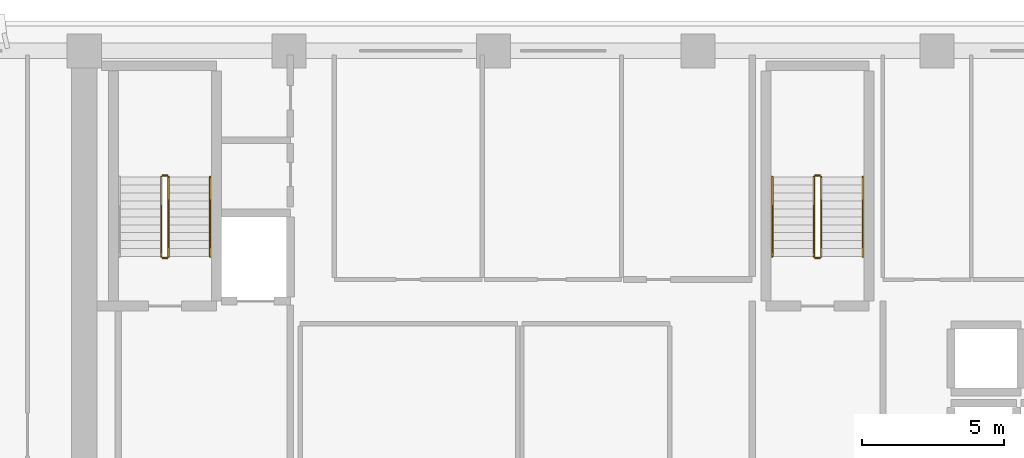
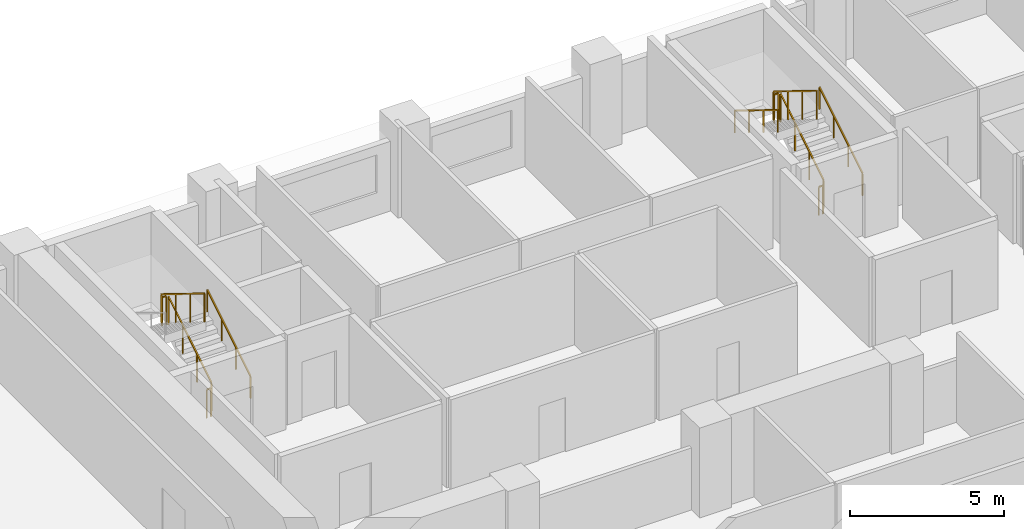
# One storey, part 12 of 14: 11 railings.
"""IFC4 building model written with IfcOpenShell, lengths in metres."""

from ifc_helpers import new_model, si_unit, direction, frame, origin, origin_2d, place, context, subcontext, project, spatial, rectangle, extrude, material, type_object, element, save


model = new_model("IFC4")

# Units and contexts
model_context = context("Model", 3, precision=1e-05, world=origin(), true_north=direction((0.0, 1.0)))
body_context = subcontext(model_context, "Body", "Model", "MODEL_VIEW")
ifc_project = project(units=[si_unit("LENGTHUNIT", "METRE"), si_unit("AREAUNIT", "SQUARE_METRE"), si_unit("VOLUMEUNIT", "CUBIC_METRE"), si_unit("PLANEANGLEUNIT", "RADIAN"), si_unit("MASSUNIT", "GRAM", prefix="KILO")], contexts=[model_context])

# Site, building, storey
site_placement = place(None, origin())
site = spatial("IfcSite", under=ifc_project, at=site_placement, CompositionType="ELEMENT")
building_placement = place(site_placement, origin())
building = spatial("IfcBuilding", under=site, at=building_placement, Name="Kaelvorn Grand Hotel", CompositionType="ELEMENT")
storey_placement = place(building_placement, frame((0.0, 0.0, 190.14990234375)))
storey = spatial("IfcBuildingStorey", under=building, at=storey_placement, Name="L46", CompositionType="ELEMENT", Elevation=190.14990234375)

# Railings
ifc_material = material(Name="Stainless Steel", Category="steel")
railing_type_1 = type_object("IfcRailingType", Name="RL-HANDRAIL-900", PredefinedType="HANDRAIL", material=ifc_material)
for number, where, name in (
    (1, (20.6298828125, 41.760009765625, 0.1728515625), "L46 ST1 stair handrail 1"),
    (2, (43.590087890625, 41.760009765625, 0.1728515625), "L46 ST2 stair handrail 1"),
):
    element("IfcRailing", number, at=place(storey_placement, frame(where)), inside=storey, type_object=railing_type_1, Name=name, PredefinedType="HANDRAIL", context=body_context, shape_type="SweptSolid", body=[
        extrude(rectangle(XDim=0.048095703125, YDim=0.048095703125, at=origin_2d()), frame((0.0, 0.0, 0.8759765625), z_axis=(0.0, 0.851089632645, 0.525020415988), x_axis=(-1.0, 0.0, 0.0)), (0.0, 0.0, 1.0), 3.2900390625),
        extrude(rectangle(XDim=0.0419921875, YDim=0.0419921875, at=origin_2d()), origin(), (0.0, 0.0, 1.0), 0.851806640625),
        extrude(rectangle(XDim=0.0419921875, YDim=0.0419921875, at=origin_2d()), frame((0.0, 0.933349609375, 0.57568359375)), (0.0, 0.0, 1.0), 0.851806640625),
        extrude(rectangle(XDim=0.0419921875, YDim=0.0419921875, at=origin_2d()), frame((0.0, 1.86669921875, 1.151611328125)), (0.0, 0.0, 1.0), 0.851806640625),
        extrude(rectangle(XDim=0.0419921875, YDim=0.0419921875, at=origin_2d()), frame((0.0, 2.800048828125, 1.727294921875)), (0.0, 0.0, 1.0), 0.851806640625),
    ])
railing_1_placement = place(storey_placement, frame((40.409912109375, 44.56005859375, 2.07275390625)))
element("IfcRailing", 3, at=railing_1_placement, inside=storey, type_object=railing_type_1, Name="L46 ST2 stair handrail 2", PredefinedType="HANDRAIL", context=body_context, shape_type="SweptSolid", body=[
    extrude(rectangle(XDim=0.048095703125, YDim=0.048095703125, at=origin_2d()), frame((0.0, 0.0, 0.8759765625), z_axis=(0.0, -0.851089632645, 0.525020415988), x_axis=(1.0, 0.0, 0.0)), (0.0, 0.0, 1.0), 3.2900390625),
    extrude(rectangle(XDim=0.0419921875, YDim=0.0419921875, at=origin_2d()), origin(), (0.0, 0.0, 1.0), 0.851806640625),
    extrude(rectangle(XDim=0.0419921875, YDim=0.0419921875, at=origin_2d()), frame((0.0, -0.933349609375, 0.57568359375)), (0.0, 0.0, 1.0), 0.851806640625),
    extrude(rectangle(XDim=0.0419921875, YDim=0.0419921875, at=origin_2d()), frame((0.0, -1.86669921875, 1.151611328125)), (0.0, 0.0, 1.0), 0.851806640625),
    extrude(rectangle(XDim=0.0419921875, YDim=0.0419921875, at=origin_2d()), frame((0.0, -2.800048828125, 1.727294921875)), (0.0, 0.0, 1.0), 0.851806640625),
])
railing_type_2 = type_object("IfcRailingType", Name="RL-STAIR-GUARD-1150", PredefinedType="BALUSTRADE", material=ifc_material)
railing_2_placement = place(storey_placement, frame((19.169921875, 41.760009765625, 0.1728515625)))
element("IfcRailing", 4, at=railing_2_placement, inside=storey, type_object=railing_type_2, Name="L46 ST1 stair guard 1", PredefinedType="BALUSTRADE", context=body_context, shape_type="SweptSolid", body=[
    extrude(rectangle(XDim=0.048095703125, YDim=0.048095703125, at=origin_2d()), frame((0.0, 0.0, 1.1259765625), z_axis=(0.0, 0.851089632645, 0.525020415988), x_axis=(-1.0, 0.0, 0.0)), (0.0, 0.0, 1.0), 3.2900390625),
    extrude(rectangle(XDim=0.0419921875, YDim=0.0419921875, at=origin_2d()), origin(), (0.0, 0.0, 1.0), 1.101806640625),
    extrude(rectangle(XDim=0.0419921875, YDim=0.0419921875, at=origin_2d()), frame((0.0, 0.933349609375, 0.57568359375)), (0.0, 0.0, 1.0), 1.101806640625),
    extrude(rectangle(XDim=0.0419921875, YDim=0.0419921875, at=origin_2d()), frame((0.0, 1.86669921875, 1.151611328125)), (0.0, 0.0, 1.0), 1.101806640625),
    extrude(rectangle(XDim=0.0419921875, YDim=0.0419921875, at=origin_2d()), frame((0.0, 2.800048828125, 1.727294921875)), (0.0, 0.0, 1.0), 1.101806640625),
])
railing_3_placement = place(storey_placement, frame((19.1201171875, 44.610107421875, 1.900146484375)))
element("IfcRailing", 5, at=railing_3_placement, inside=storey, type_object=railing_type_2, Name="L46 ST1 stair guard 2", PredefinedType="BALUSTRADE", context=body_context, shape_type="SweptSolid", body=[
    extrude(rectangle(XDim=0.048095703125, YDim=0.048095703125, at=origin_2d()), frame((0.0, 0.0, 1.1259765625), z_axis=(-1.0, 0.0, 0.0), x_axis=(0.0, -1.0, 0.0)), (0.0, 0.0, 1.0), 0.16015625),
    extrude(rectangle(XDim=0.0419921875, YDim=0.0419921875, at=origin_2d()), origin(), (0.0, 0.0, 1.0), 1.101806640625),
    extrude(rectangle(XDim=0.0419921875, YDim=0.0419921875, at=origin_2d()), frame((-0.16015625, 0.0, 0.0)), (0.0, 0.0, 1.0), 1.101806640625),
])
railing_4_placement = place(storey_placement, frame((18.909912109375, 44.56005859375, 2.07275390625)))
element("IfcRailing", 6, at=railing_4_placement, inside=storey, type_object=railing_type_2, Name="L46 ST1 stair guard 3", PredefinedType="BALUSTRADE", context=body_context, shape_type="SweptSolid", body=[
    extrude(rectangle(XDim=0.048095703125, YDim=0.048095703125, at=origin_2d()), frame((0.0, 0.0, 1.1259765625), z_axis=(0.0, -0.851089632645, 0.525020415988), x_axis=(1.0, 0.0, 0.0)), (0.0, 0.0, 1.0), 3.2900390625),
    extrude(rectangle(XDim=0.0419921875, YDim=0.0419921875, at=origin_2d()), origin(), (0.0, 0.0, 1.0), 1.101806640625),
    extrude(rectangle(XDim=0.0419921875, YDim=0.0419921875, at=origin_2d()), frame((0.0, -0.933349609375, 0.57568359375)), (0.0, 0.0, 1.0), 1.101806640625),
    extrude(rectangle(XDim=0.0419921875, YDim=0.0419921875, at=origin_2d()), frame((0.0, -1.86669921875, 1.151611328125)), (0.0, 0.0, 1.0), 1.101806640625),
    extrude(rectangle(XDim=0.0419921875, YDim=0.0419921875, at=origin_2d()), frame((0.0, -2.800048828125, 1.727294921875)), (0.0, 0.0, 1.0), 1.101806640625),
])
railing_5_placement = place(storey_placement, frame((19.1201171875, 41.7099609375, 0.0)))
element("IfcRailing", 7, at=railing_5_placement, inside=storey, type_object=railing_type_2, Name="L46 ST1 stair guard 4", PredefinedType="BALUSTRADE", context=body_context, shape_type="SweptSolid", body=[
    extrude(rectangle(XDim=0.048095703125, YDim=0.048095703125, at=origin_2d()), frame((0.0, 0.0, 1.1259765625), z_axis=(-1.0, 0.0, 0.0), x_axis=(0.0, -1.0, 0.0)), (0.0, 0.0, 1.0), 0.16015625),
    extrude(rectangle(XDim=0.0419921875, YDim=0.0419921875, at=origin_2d()), origin(), (0.0, 0.0, 1.0), 1.101806640625),
    extrude(rectangle(XDim=0.0419921875, YDim=0.0419921875, at=origin_2d()), frame((-0.16015625, 0.0, 0.0)), (0.0, 0.0, 1.0), 1.101806640625),
])
railing_6_placement = place(storey_placement, frame((42.1298828125, 41.760009765625, 0.1728515625)))
element("IfcRailing", 8, at=railing_6_placement, inside=storey, type_object=railing_type_2, Name="L46 ST2 stair guard 1", PredefinedType="BALUSTRADE", context=body_context, shape_type="SweptSolid", body=[
    extrude(rectangle(XDim=0.048095703125, YDim=0.048095703125, at=origin_2d()), frame((0.0, 0.0, 1.1259765625), z_axis=(0.0, 0.851089632645, 0.525020415988), x_axis=(-1.0, 0.0, 0.0)), (0.0, 0.0, 1.0), 3.2900390625),
    extrude(rectangle(XDim=0.0419921875, YDim=0.0419921875, at=origin_2d()), origin(), (0.0, 0.0, 1.0), 1.101806640625),
    extrude(rectangle(XDim=0.0419921875, YDim=0.0419921875, at=origin_2d()), frame((0.0, 0.933349609375, 0.57568359375)), (0.0, 0.0, 1.0), 1.101806640625),
    extrude(rectangle(XDim=0.0419921875, YDim=0.0419921875, at=origin_2d()), frame((0.0, 1.86669921875, 1.151611328125)), (0.0, 0.0, 1.0), 1.101806640625),
    extrude(rectangle(XDim=0.0419921875, YDim=0.0419921875, at=origin_2d()), frame((0.0, 2.800048828125, 1.727294921875)), (0.0, 0.0, 1.0), 1.101806640625),
])
railing_7_placement = place(storey_placement, frame((42.080078125, 44.610107421875, 1.900146484375)))
element("IfcRailing", 9, at=railing_7_placement, inside=storey, type_object=railing_type_2, Name="L46 ST2 stair guard 2", PredefinedType="BALUSTRADE", context=body_context, shape_type="SweptSolid", body=[
    extrude(rectangle(XDim=0.048095703125, YDim=0.048095703125, at=origin_2d()), frame((0.0, 0.0, 1.1259765625), z_axis=(-1.0, 0.0, 0.0), x_axis=(0.0, -1.0, 0.0)), (0.0, 0.0, 1.0), 0.16015625),
    extrude(rectangle(XDim=0.0419921875, YDim=0.0419921875, at=origin_2d()), origin(), (0.0, 0.0, 1.0), 1.101806640625),
    extrude(rectangle(XDim=0.0419921875, YDim=0.0419921875, at=origin_2d()), frame((-0.16015625, 0.0, 0.0)), (0.0, 0.0, 1.0), 1.101806640625),
])
railing_8_placement = place(storey_placement, frame((41.8701171875, 44.56005859375, 2.07275390625)))
element("IfcRailing", 10, at=railing_8_placement, inside=storey, type_object=railing_type_2, Name="L46 ST2 stair guard 3", PredefinedType="BALUSTRADE", context=body_context, shape_type="SweptSolid", body=[
    extrude(rectangle(XDim=0.048095703125, YDim=0.048095703125, at=origin_2d()), frame((0.0, 0.0, 1.1259765625), z_axis=(0.0, -0.851089632645, 0.525020415988), x_axis=(1.0, 0.0, 0.0)), (0.0, 0.0, 1.0), 3.2900390625),
    extrude(rectangle(XDim=0.0419921875, YDim=0.0419921875, at=origin_2d()), origin(), (0.0, 0.0, 1.0), 1.101806640625),
    extrude(rectangle(XDim=0.0419921875, YDim=0.0419921875, at=origin_2d()), frame((0.0, -0.933349609375, 0.57568359375)), (0.0, 0.0, 1.0), 1.101806640625),
    extrude(rectangle(XDim=0.0419921875, YDim=0.0419921875, at=origin_2d()), frame((0.0, -1.86669921875, 1.151611328125)), (0.0, 0.0, 1.0), 1.101806640625),
    extrude(rectangle(XDim=0.0419921875, YDim=0.0419921875, at=origin_2d()), frame((0.0, -2.800048828125, 1.727294921875)), (0.0, 0.0, 1.0), 1.101806640625),
])
railing_9_placement = place(storey_placement, frame((42.080078125, 41.7099609375, 0.0)))
element("IfcRailing", 11, at=railing_9_placement, inside=storey, type_object=railing_type_2, Name="L46 ST2 stair guard 4", PredefinedType="BALUSTRADE", context=body_context, shape_type="SweptSolid", body=[
    extrude(rectangle(XDim=0.048095703125, YDim=0.048095703125, at=origin_2d()), frame((0.0, 0.0, 1.1259765625), z_axis=(-1.0, 0.0, 0.0), x_axis=(0.0, -1.0, 0.0)), (0.0, 0.0, 1.0), 0.16015625),
    extrude(rectangle(XDim=0.0419921875, YDim=0.0419921875, at=origin_2d()), origin(), (0.0, 0.0, 1.0), 1.101806640625),
    extrude(rectangle(XDim=0.0419921875, YDim=0.0419921875, at=origin_2d()), frame((-0.16015625, 0.0, 0.0)), (0.0, 0.0, 1.0), 1.101806640625),
])

save(model, "model.ifc")
